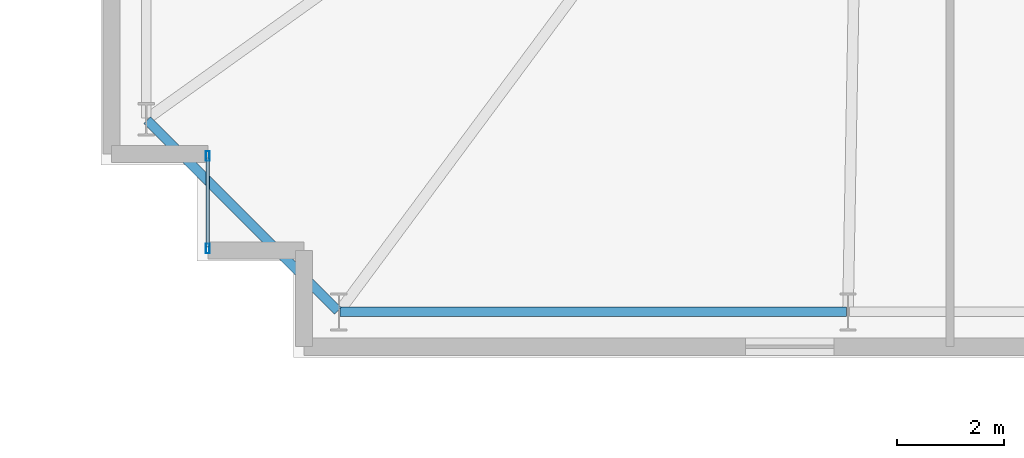
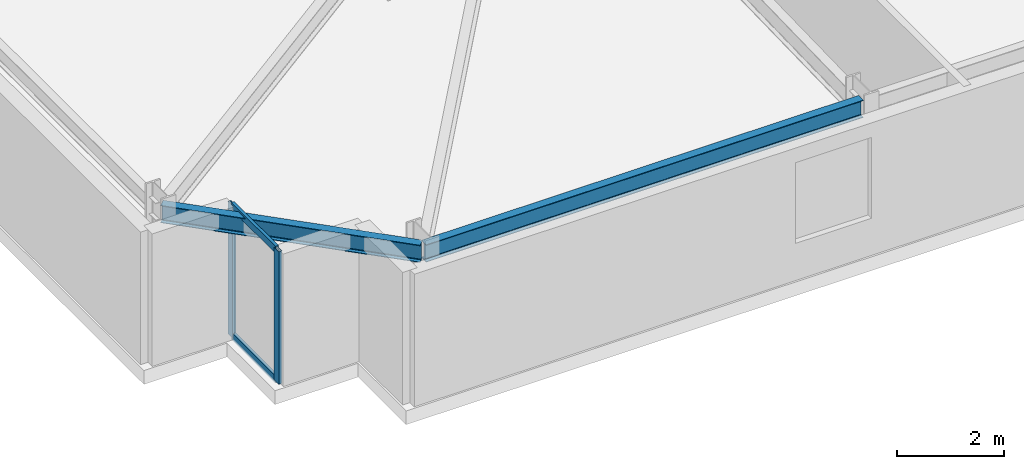
# One storey, part 4 of 22: 4 members, 2 beams, 1 element without a shape of its own.
"""IFC4 building model written with IfcOpenShell, lengths in metres."""

from ifc_helpers import new_model, si_unit, direction, frame, origin, origin_2d, place, context, subcontext, project, spatial, hollow_rectangle, i_section, extrude, material, layer, layer_set, material_profile, profile_set, type_object, element, aggregate, save


model = new_model("IFC4")

# Units and contexts
model_context = context("Model", 3, precision=1e-05, world=origin(), true_north=direction((0.0, 1.0)))
body_context = subcontext(model_context, "Body", "Model", "MODEL_VIEW")
ifc_project = project(units=[si_unit("LENGTHUNIT", "METRE"), si_unit("AREAUNIT", "SQUARE_METRE"), si_unit("VOLUMEUNIT", "CUBIC_METRE"), si_unit("PLANEANGLEUNIT", "RADIAN"), si_unit("MASSUNIT", "GRAM", prefix="KILO")], contexts=[model_context])

# Site, building, storey
site_placement = place(None, origin())
site = spatial("IfcSite", under=ifc_project, at=site_placement, CompositionType="ELEMENT")
building_placement = place(site_placement, origin())
building = spatial("IfcBuilding", under=site, at=building_placement, Name="Qobustan Lattice House", CompositionType="ELEMENT")
storey_placement = place(building_placement, frame((0.0, 0.0, 53.800048828125)))
storey = spatial("IfcBuildingStorey", under=building, at=storey_placement, Name="L14", CompositionType="ELEMENT", Elevation=53.800048828125)

# Beams
ifc_material_1 = material(Name="Steel S355", Category="steel")
ifc_material_profile_1 = material_profile(ifc_material_1, i_section(OverallWidth=0.179931640625, OverallDepth=0.39990234375, WebThickness=0.008544921875, FlangeThickness=0.013427734375, FilletRadius=0.02099609375, at=origin_2d()), Name="IPE400")
ifc_profile_set_1 = profile_set([ifc_material_profile_1], Name="Steel S355")
beam_type = type_object("IfcBeamType", Name="BM-SPD-IPE400", PredefinedType="SPANDREL", material=ifc_profile_set_1)
beam_1_placement = place(storey_placement, frame((-28.52490234375, -18.75, 2.8349609375), z_axis=(1.0, 0.0, 0.0), x_axis=(0.0, 1.0, 0.0)))
element("IfcBeam", 1, at=beam_1_placement, inside=storey, type_object=beam_type, Name="L14 perimeter spandrel S1-S2", PredefinedType="SPANDREL", context=body_context, shape_type="SweptSolid", body=[
    extrude(i_section(OverallWidth=0.179931640625, OverallDepth=0.39990234375, WebThickness=0.008544921875, FlangeThickness=0.013427734375, FilletRadius=0.02099609375, at=origin_2d()), origin(), (0.0, 0.0, 1.0), 9.466552734375),
])
beam_2_placement = place(storey_placement, frame((-32.13232421875, -15.167724609375, 2.8349609375), z_axis=(0.707106781187, -0.707106781187, 0.0), x_axis=(0.707106781187, 0.707106781187, 0.0)))
element("IfcBeam", 2, at=beam_2_placement, inside=storey, type_object=beam_type, Name="L14 perimeter spandrel W4-S1", PredefinedType="SPANDREL", context=body_context, shape_type="SweptSolid", body=[
    extrude(i_section(OverallWidth=0.179931640625, OverallDepth=0.39990234375, WebThickness=0.008544921875, FlangeThickness=0.013427734375, FilletRadius=0.02099609375, at=origin_2d()), origin(), (0.0, 0.0, 1.0), 5.041259765625),
])

# Curtain wall, members
ifc_material_2 = material(Name="Anodised aluminium and low-E glazing", Category="aluminium")
ifc_layer = layer(ifc_material_2, 0.219970703125)
ifc_layer_set = layer_set([ifc_layer], Name="Anodised aluminium and low-E glazing")
curtain_wall_type = type_object("IfcCurtainWallType", Name="CW-FAC-01", PredefinedType="USERDEFINED", material=ifc_layer_set)
curtain_wall_placement = place(storey_placement, origin())
curtain_wall = element("IfcCurtainWall", 3, at=curtain_wall_placement, inside=storey, type_object=curtain_wall_type, Name="L14 serrated corner faceted glazing 3", ObjectType="CURTAIN WALL", PredefinedType="USERDEFINED")
ifc_material_3 = material(Name="Anodised aluminium EN AW-6063 T6", Category="aluminium")
ifc_material_profile_2 = material_profile(ifc_material_3, hollow_rectangle(XDim=0.070068359375, YDim=0.179931640625, WallThickness=0.00439453125, at=origin_2d()), Name="CWM-180x70")
ifc_profile_set_2 = profile_set([ifc_material_profile_2], Name="Anodised aluminium EN AW-6063 T6")
member_type_1 = type_object("IfcMemberType", Name="CWM-STD-180", PredefinedType="MULLION", material=ifc_profile_set_2)
member_1_placement = place(storey_placement, frame((-31.0, -17.56494140625, 0.0), z_axis=(0.0, 0.0, 1.0), x_axis=(-1.0, 0.0, 0.0)))
member_1 = element("IfcMember", 4, at=member_1_placement, type_object=member_type_1, Name="CW-F1 mullion 1", PredefinedType="MULLION", context=body_context, shape_type="SweptSolid", body=[
    extrude(hollow_rectangle(XDim=0.070068359375, YDim=0.179931640625, WallThickness=0.00439453125, at=origin_2d()), origin(), (0.0, 0.0, 1.0), 3.034912109375),
])
member_2_placement = place(storey_placement, frame((-31.0, -15.8349609375, 0.0), z_axis=(0.0, 0.0, 1.0), x_axis=(-1.0, 0.0, 0.0)))
member_2 = element("IfcMember", 5, at=member_2_placement, type_object=member_type_1, Name="CW-F1 mullion 2", PredefinedType="MULLION", context=body_context, shape_type="SweptSolid", body=[
    extrude(hollow_rectangle(XDim=0.070068359375, YDim=0.179931640625, WallThickness=0.00439453125, at=origin_2d()), origin(), (0.0, 0.0, 1.0), 3.034912109375),
])
ifc_material_4 = material(Name="Anodised aluminium EN AW-6063 T6", Category="aluminium")
ifc_material_profile_3 = material_profile(ifc_material_4, hollow_rectangle(XDim=0.06494140625, YDim=0.159912109375, WallThickness=0.00390625, at=origin_2d()), Name="CWT-160x65")
ifc_profile_set_3 = profile_set([ifc_material_profile_3], Name="Anodised aluminium EN AW-6063 T6")
member_type_2 = type_object("IfcMemberType", Name="CWT-HOR-160", PredefinedType="USERDEFINED", material=ifc_profile_set_3)
member_3_placement = place(storey_placement, frame((-31.0, -17.530029296875, 0.032470703125), z_axis=(0.0, 1.0, 0.0), x_axis=(-1.0, 0.0, 0.0)))
member_3 = element("IfcMember", 6, at=member_3_placement, type_object=member_type_2, Name="CW-F1 transom 1.1", ObjectType="TRANSOM", PredefinedType="USERDEFINED", context=body_context, shape_type="SweptSolid", body=[
    extrude(hollow_rectangle(XDim=0.06494140625, YDim=0.159912109375, WallThickness=0.00390625, at=origin_2d()), origin(), (0.0, 0.0, 1.0), 1.659912109375),
])
member_4_placement = place(storey_placement, frame((-31.0, -17.530029296875, 3.00244140625), z_axis=(0.0, 1.0, 0.0), x_axis=(-1.0, 0.0, 0.0)))
member_4 = element("IfcMember", 7, at=member_4_placement, type_object=member_type_2, Name="CW-F1 transom 1.2", ObjectType="TRANSOM", PredefinedType="USERDEFINED", context=body_context, shape_type="SweptSolid", body=[
    extrude(hollow_rectangle(XDim=0.06494140625, YDim=0.159912109375, WallThickness=0.00390625, at=origin_2d()), origin(), (0.0, 0.0, 1.0), 1.659912109375),
])
aggregate(curtain_wall, [member_1, member_2, member_3, member_4])

save(model, "model.ifc")
